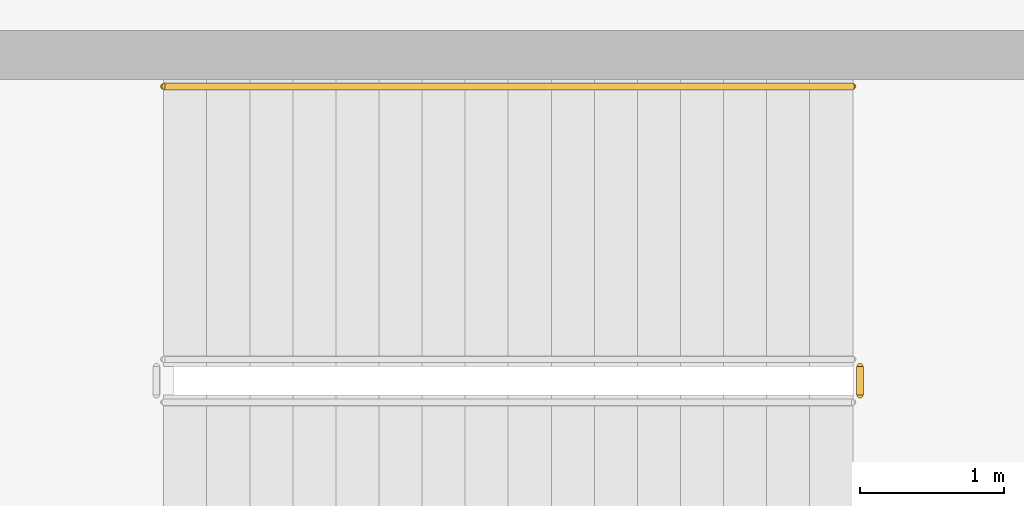
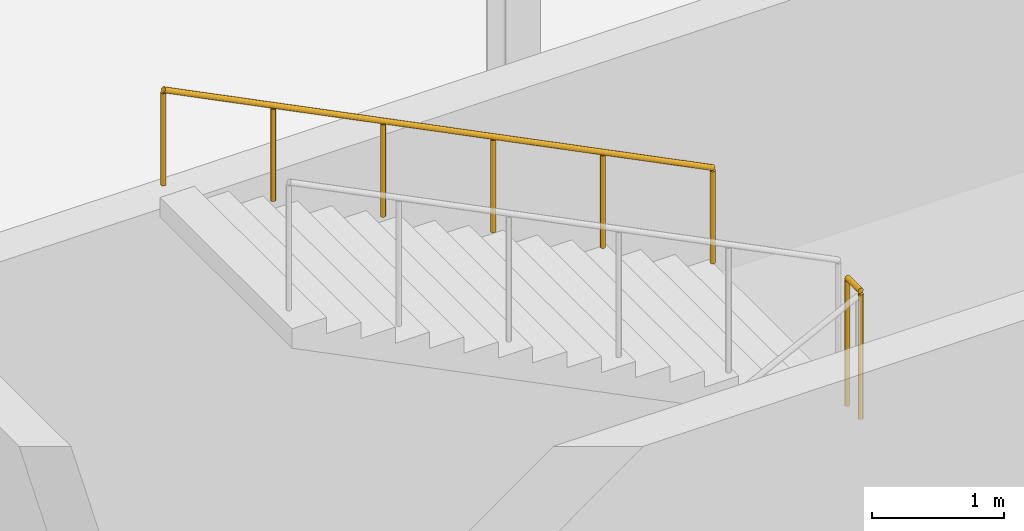
# One storey, part 85 of 91: 2 railings.
"""IFC4 building model written with IfcOpenShell, lengths in metres."""

from ifc_helpers import new_model, si_unit, direction, frame, origin, origin_2d, place, context, subcontext, project, spatial, circle, extrude, material, type_object, element, save


model = new_model("IFC4")

# Units and contexts
model_context = context("Model", 3, precision=1e-05, world=origin(), true_north=direction((0.0, 1.0)))
body_context = subcontext(model_context, "Body", "Model", "MODEL_VIEW")
ifc_project = project(units=[si_unit("LENGTHUNIT", "METRE"), si_unit("AREAUNIT", "SQUARE_METRE"), si_unit("VOLUMEUNIT", "CUBIC_METRE"), si_unit("PLANEANGLEUNIT", "RADIAN"), si_unit("MASSUNIT", "GRAM", prefix="KILO"), si_unit("THERMODYNAMICTEMPERATUREUNIT", "KELVIN")], contexts=[model_context])

# Site, building, storey
site_placement = place(None, origin())
site = spatial("IfcSite", under=ifc_project, at=site_placement, CompositionType="ELEMENT")
building_placement = place(site_placement, origin())
building = spatial("IfcBuilding", under=site, at=building_placement, Name="Lustrewick Department Store", CompositionType="ELEMENT")
storey_placement = place(building_placement, frame((0.0, 0.0, 21.60009765625)))
storey = spatial("IfcBuildingStorey", under=building, at=storey_placement, Name="L05", CompositionType="ELEMENT", Elevation=21.60009765625)

# Railings
ifc_material_1 = material(Name="Painted tubular steel stairwell guardrail", Category="steel")
railing_type_1 = type_object("IfcRailingType", Name="RL-STG", PredefinedType="GUARDRAIL", material=ifc_material_1)
railing_1_placement = place(storey_placement, frame((125.800048828125, 78.39990234375, 2.5498046875)))
element("IfcRailing", 1, at=railing_1_placement, inside=storey, type_object=railing_type_1, Name="L05 ST10 Stair Guard 2", PredefinedType="GUARDRAIL", context=body_context, shape_type="SweptSolid", body=[
    extrude(circle(Radius=0.02392578125, at=origin_2d()), frame((0.0, 0.0, 1.17578125), z_axis=(0.0, 1.0, 0.0), x_axis=(-1.0, 0.0, 0.0)), (0.0, 0.0, 1.0), 0.2001953125),
    extrude(circle(Radius=0.02099609375, at=origin_2d()), origin(), (0.0, 0.0, 1.0), 1.15185546875),
    extrude(circle(Radius=0.02099609375, at=origin_2d()), frame((0.0, 0.2001953125, 0.0)), (0.0, 0.0, 1.0), 1.15185546875),
])
ifc_material_2 = material(Name="Brushed stainless steel wall handrail", Category="steel")
railing_type_2 = type_object("IfcRailingType", Name="RL-STH", PredefinedType="HANDRAIL", material=ifc_material_2)
railing_2_placement = place(storey_placement, frame((125.75, 80.550048828125, 2.699951171875)))
element("IfcRailing", 2, at=railing_2_placement, inside=storey, type_object=railing_type_2, Name="L05 ST10 Stair Handrail 2", PredefinedType="HANDRAIL", context=body_context, shape_type="SweptSolid", body=[
    extrude(circle(Radius=0.02392578125, at=origin_2d()), frame((0.0, 0.0, 0.8759765625), z_axis=(-0.894436289399, 0.0, 0.44719539824), x_axis=(0.0, -1.0, 0.0)), (0.0, 0.0, 1.0), 5.366455078125),
    extrude(circle(Radius=0.02099609375, at=origin_2d()), origin(), (0.0, 0.0, 1.0), 0.851806640625),
    extrude(circle(Radius=0.02099609375, at=origin_2d()), frame((-0.9599609375, 0.0, 0.47998046875)), (0.0, 0.0, 1.0), 0.851806640625),
    extrude(circle(Radius=0.02099609375, at=origin_2d()), frame((-1.919921875, 0.0, 0.9599609375)), (0.0, 0.0, 1.0), 0.851806640625),
    extrude(circle(Radius=0.02099609375, at=origin_2d()), frame((-2.880126953125, 0.0, 1.43994140625)), (0.0, 0.0, 1.0), 0.851806640625),
    extrude(circle(Radius=0.02099609375, at=origin_2d()), frame((-3.840087890625, 0.0, 1.919921875)), (0.0, 0.0, 1.0), 0.851806640625),
    extrude(circle(Radius=0.02099609375, at=origin_2d()), frame((-4.800048828125, 0.0, 2.39990234375)), (0.0, 0.0, 1.0), 0.851806640625),
])

save(model, "model.ifc")
